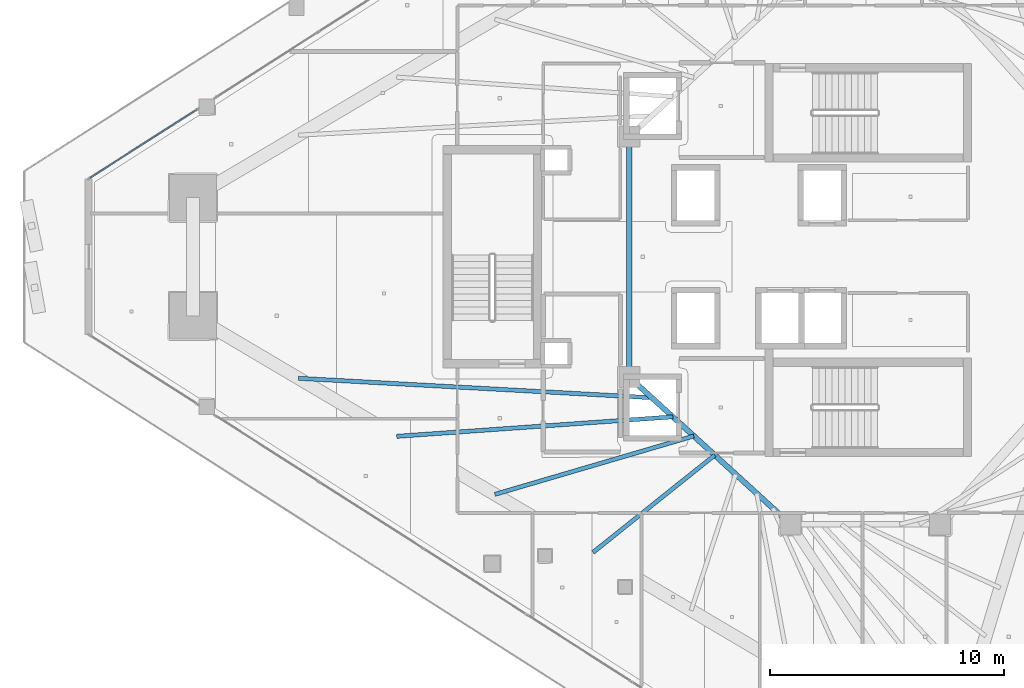
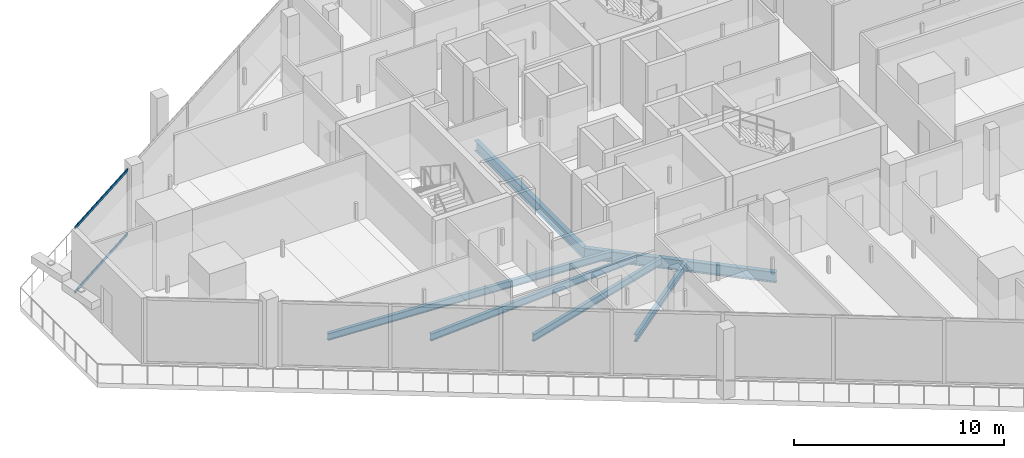
# One storey, part 7 of 33: 6 beams, 2 members, 1 element without a shape of its own.
"""IFC4 building model written with IfcOpenShell, lengths in metres."""

from ifc_helpers import new_model, si_unit, direction, frame, origin, origin_2d, place, context, subcontext, project, spatial, hollow_rectangle, i_section, extrude, material, layer, layer_set, material_profile, profile_set, type_object, element, aggregate, save


model = new_model("IFC4")

# Units and contexts
model_context = context("Model", 3, precision=1e-05, world=origin(), true_north=direction((0.0, 1.0)))
body_context = subcontext(model_context, "Body", "Model", "MODEL_VIEW")
ifc_project = project(units=[si_unit("LENGTHUNIT", "METRE"), si_unit("AREAUNIT", "SQUARE_METRE"), si_unit("VOLUMEUNIT", "CUBIC_METRE"), si_unit("PLANEANGLEUNIT", "RADIAN"), si_unit("MASSUNIT", "GRAM", prefix="KILO")], contexts=[model_context])

# Site, building, storey
site_placement = place(None, origin())
site = spatial("IfcSite", under=ifc_project, at=site_placement, CompositionType="ELEMENT")
building_placement = place(site_placement, origin())
building = spatial("IfcBuilding", under=site, at=building_placement, Name="Qorvath Tower", CompositionType="ELEMENT")
storey_placement = place(building_placement, frame((0.0, 0.0, 209.10009765625)))
storey = spatial("IfcBuildingStorey", under=building, at=storey_placement, Name="L48", CompositionType="ELEMENT", Elevation=209.10009765625)

# Beams
ifc_material_1 = material(Name="Steel ASTM A992 Grade 50", Category="steel")
ifc_material_profile_1 = material_profile(ifc_material_1, i_section(OverallWidth=0.22998046875, OverallDepth=0.616943359375, WebThickness=0.01318359375, FlangeThickness=0.022216796875, FilletRadius=0.014892578125, at=origin_2d()), Name="W24x94")
ifc_profile_set_1 = profile_set([ifc_material_profile_1], Name="Steel ASTM A992 Grade 50")
beam_type_1 = type_object("IfcBeamType", Name="BM-FG6", PredefinedType="BEAM", material=ifc_profile_set_1)
beam_1_placement = place(storey_placement, frame((-23.60009765625, -11.449951171875, -0.57861328125), z_axis=(-0.73847813985, 0.6742774184, 0.0), x_axis=(-0.6742774184, -0.73847813985, 0.0)))
element("IfcBeam", 1, at=beam_1_placement, inside=storey, type_object=beam_type_1, Name="Core Ring Girder CC4-CC6 L48", PredefinedType="BEAM", context=body_context, shape_type="SweptSolid", body=[
    extrude(i_section(OverallWidth=0.22998046875, OverallDepth=0.616943359375, WebThickness=0.01318359375, FlangeThickness=0.022216796875, FilletRadius=0.014892578125, at=origin_2d()), origin(), (0.0, 0.0, 1.0), 9.343505859375),
])
beam_2_placement = place(storey_placement, frame((-30.5, -5.14990234375, -0.57861328125), z_axis=(0.0, 1.0, 0.0), x_axis=(-1.0, 0.0, 0.0)))
element("IfcBeam", 2, at=beam_2_placement, inside=storey, type_object=beam_type_1, Name="Core Ring Girder CC6-CC5 L48", PredefinedType="BEAM", context=body_context, shape_type="SweptSolid", body=[
    extrude(i_section(OverallWidth=0.22998046875, OverallDepth=0.616943359375, WebThickness=0.01318359375, FlangeThickness=0.022216796875, FilletRadius=0.014892578125, at=origin_2d()), origin(), (0.0, 0.0, 1.0), 10.2998046875),
])
ifc_material_2 = material(Name="Steel ASTM A992 Grade 50", Category="steel")
ifc_material_profile_2 = material_profile(ifc_material_2, i_section(OverallWidth=0.177978515625, OverallDepth=0.406005859375, WebThickness=0.0078125, FlangeThickness=0.0126953125, FilletRadius=0.010986328125, at=origin_2d()), Name="W16x40")
ifc_profile_set_2 = profile_set([ifc_material_profile_2], Name="Steel ASTM A992 Grade 50")
beam_type_2 = type_object("IfcBeamType", Name="BM-FJ3", PredefinedType="JOIST", material=ifc_profile_set_2)
beam_3_placement = place(storey_placement, frame((-29.533935546875, -6.031982421875, -0.472900390625), z_axis=(-0.998494745044, 0.054847462293, 0.0), x_axis=(-0.054847462293, -0.998494745044, 0.0)))
element("IfcBeam", 3, at=beam_3_placement, inside=storey, type_object=beam_type_2, Name="Composite Floor Joist SW1 L48", PredefinedType="JOIST", context=body_context, shape_type="SweptSolid", body=[
    extrude(i_section(OverallWidth=0.177978515625, OverallDepth=0.406005859375, WebThickness=0.0078125, FlangeThickness=0.0126953125, FilletRadius=0.010986328125, at=origin_2d()), origin(), (0.0, 0.0, 1.0), 15.138671875),
])
beam_4_placement = place(storey_placement, frame((-28.636962890625, -6.85107421875, -0.472900390625), z_axis=(-0.997520476731, -0.070376832146, 0.0), x_axis=(0.070376832146, -0.997520476731, 0.0)))
element("IfcBeam", 4, at=beam_4_placement, inside=storey, type_object=beam_type_2, Name="Composite Floor Joist SW2 L48", PredefinedType="JOIST", context=body_context, shape_type="SweptSolid", body=[
    extrude(i_section(OverallWidth=0.177978515625, OverallDepth=0.406005859375, WebThickness=0.0078125, FlangeThickness=0.0126953125, FilletRadius=0.010986328125, at=origin_2d()), origin(), (0.0, 0.0, 1.0), 11.84326171875),
])
beam_5_placement = place(storey_placement, frame((-27.739990234375, -7.669921875, -0.472900390625), z_axis=(-0.959544992264, -0.281555337049, 0.0), x_axis=(0.281555337049, -0.959544992264, 0.0)))
element("IfcBeam", 5, at=beam_5_placement, inside=storey, type_object=beam_type_2, Name="Composite Floor Joist SW3 L48", PredefinedType="JOIST", context=body_context, shape_type="SweptSolid", body=[
    extrude(i_section(OverallWidth=0.177978515625, OverallDepth=0.406005859375, WebThickness=0.0078125, FlangeThickness=0.0126953125, FilletRadius=0.010986328125, at=origin_2d()), origin(), (0.0, 0.0, 1.0), 8.87060546875),
])
beam_6_placement = place(storey_placement, frame((-26.843017578125, -8.489013671875, -0.472900390625), z_axis=(-0.781336553339, -0.624109918537, 0.0), x_axis=(0.624109918537, -0.781336553339, 0.0)))
element("IfcBeam", 6, at=beam_6_placement, inside=storey, type_object=beam_type_2, Name="Composite Floor Joist SW4 L48", PredefinedType="JOIST", context=body_context, shape_type="SweptSolid", body=[
    extrude(i_section(OverallWidth=0.177978515625, OverallDepth=0.406005859375, WebThickness=0.0078125, FlangeThickness=0.0126953125, FilletRadius=0.010986328125, at=origin_2d()), origin(), (0.0, 0.0, 1.0), 6.667724609375),
])

# Curtain wall, members
ifc_material_3 = material(Name="Anodised aluminium and triple low-E glass", Category="aluminium")
ifc_layer = layer(ifc_material_3, 0.179931640625)
ifc_layer_set = layer_set([ifc_layer], Name="CW-SYS-3")
curtain_wall_type = type_object("IfcCurtainWallType", Name="CW-SYS-3", PredefinedType="NOTDEFINED", material=ifc_layer_set)
curtain_wall_placement = place(storey_placement, origin())
curtain_wall = element("IfcCurtainWall", 7, at=curtain_wall_placement, inside=storey, type_object=curtain_wall_type, Name="Curtain Wall CW-3 CW-T-L48-16.2", PredefinedType="NOTDEFINED")
ifc_material_4 = material(Name="Anodised aluminium 6063-T6", Category="aluminium")
ifc_material_profile_3 = material_profile(ifc_material_4, hollow_rectangle(XDim=0.06494140625, YDim=0.159912109375, WallThickness=0.00341796875, InnerFilletRadius=0.00341796875, OuterFilletRadius=0.007080078125, at=origin_2d()), Name="CWT 160x65")
ifc_profile_set_3 = profile_set([ifc_material_profile_3], Name="Anodised aluminium 6063-T6")
member_type = type_object("IfcMemberType", Name="CWT-160", PredefinedType="USERDEFINED", material=ifc_profile_set_3)
member_1_placement = place(storey_placement, frame((-49.003173828125, 6.2939453125, 0.032470703125), z_axis=(-0.842617480253, -0.538512564358, 0.0), x_axis=(0.538512564358, -0.842617480253, 0.0)))
member_1 = element("IfcMember", 8, at=member_1_placement, type_object=member_type, Name="CW-3 transom 1.1", ObjectType="TRANSOM", PredefinedType="USERDEFINED", context=body_context, shape_type="SweptSolid", body=[
    extrude(hollow_rectangle(XDim=0.06494140625, YDim=0.159912109375, WallThickness=0.00341796875, InnerFilletRadius=0.00341796875, OuterFilletRadius=0.007080078125, at=origin_2d()), origin(), (0.0, 0.0, 1.0), 5.429443359375),
])
member_2_placement = place(storey_placement, frame((-49.003173828125, 6.2939453125, 3.747314453125), z_axis=(-0.842617480253, -0.538512564358, 0.0), x_axis=(0.538512564358, -0.842617480253, 0.0)))
member_2 = element("IfcMember", 9, at=member_2_placement, type_object=member_type, Name="CW-3 transom 1.2", ObjectType="TRANSOM", PredefinedType="USERDEFINED", context=body_context, shape_type="SweptSolid", body=[
    extrude(hollow_rectangle(XDim=0.06494140625, YDim=0.159912109375, WallThickness=0.00341796875, InnerFilletRadius=0.00341796875, OuterFilletRadius=0.007080078125, at=origin_2d()), origin(), (0.0, 0.0, 1.0), 5.429443359375),
])
aggregate(curtain_wall, [member_1, member_2])

save(model, "model.ifc")
